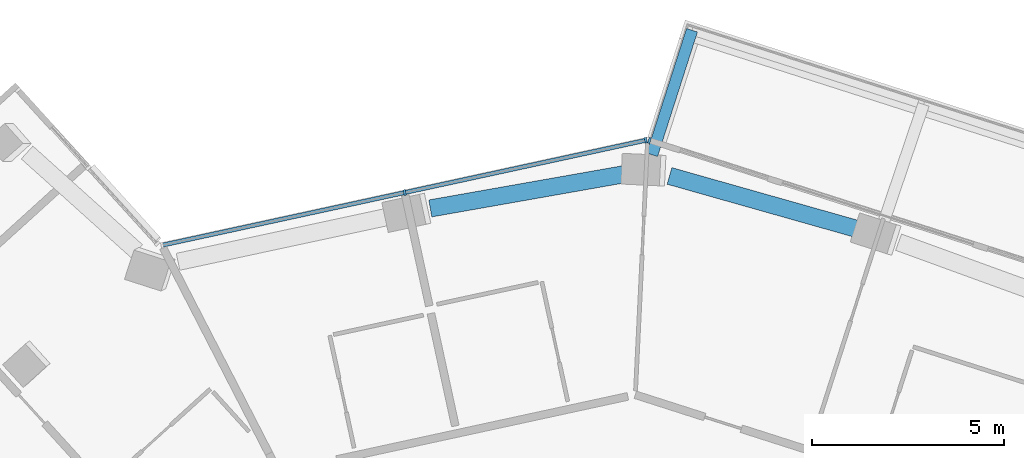
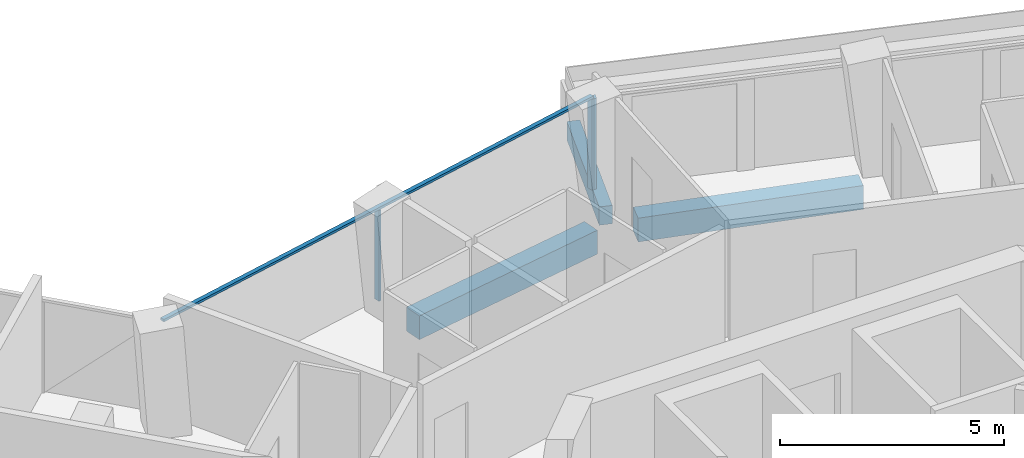
# One storey, part 7 of 23: 4 members, 3 beams, 2 elements without a shape of their own.
"""IFC4 building model written with IfcOpenShell, lengths in metres."""

from ifc_helpers import new_model, si_unit, direction, frame, origin, origin_2d, place, context, subcontext, project, spatial, rectangle, extrude, material, layer, layer_set, material_profile, profile_set, type_object, element, aggregate, save


model = new_model("IFC4")

# Units and contexts
model_context = context("Model", 3, precision=1e-05, world=origin(), true_north=direction((0.0, 1.0)))
body_context = subcontext(model_context, "Body", "Model", "MODEL_VIEW")
ifc_project = project(units=[si_unit("LENGTHUNIT", "METRE"), si_unit("AREAUNIT", "SQUARE_METRE"), si_unit("VOLUMEUNIT", "CUBIC_METRE"), si_unit("PLANEANGLEUNIT", "RADIAN"), si_unit("MASSUNIT", "GRAM", prefix="KILO")], contexts=[model_context])

# Site, building, storey
site_placement = place(None, origin())
site = spatial("IfcSite", under=ifc_project, at=site_placement, CompositionType="ELEMENT")
building_placement = place(site_placement, origin())
building = spatial("IfcBuilding", under=site, at=building_placement, Name="Verdalira Terraces Hotel", CompositionType="ELEMENT")
storey_placement = place(building_placement, frame((0.0, 0.0, 205.5)))
storey = spatial("IfcBuildingStorey", under=building, at=storey_placement, Name="L50", CompositionType="ELEMENT", Elevation=205.5)

# Beam
ifc_material_1 = material(Name="Concrete C40", Category="concrete")
ifc_material_profile_1 = material_profile(ifc_material_1, rectangle(XDim=0.300049, YDim=0.5, at=origin_2d()), Name="RC 300X500")
ifc_profile_set_1 = profile_set([ifc_material_profile_1], Name="Concrete C40")
beam_type_1 = type_object("IfcBeamType", Name="Balcony cantilever beam RC 300X500 C40", PredefinedType="BEAM", material=ifc_profile_set_1)
beam_1_placement = place(storey_placement, frame((1.321533, 24.617676, -0.560059), z_axis=(0.305061398, 0.952332685, 0.0), x_axis=(-0.952332685, 0.305061398, 0.0)))
element("IfcBeam", 1, at=beam_1_placement, inside=storey, type_object=beam_type_1, Name="Balcony cantilever beam R39-5", PredefinedType="BEAM", context=body_context, shape_type="SweptSolid", body=[
    extrude(rectangle(XDim=0.300049, YDim=0.5, at=origin_2d()), origin(), (0.0, 0.0, 1.0), 3.410889),
])

# Curtain wall, member
ifc_material_2 = material(Name="Clear glass", Category="glass")
ifc_layer = layer(ifc_material_2, 0.14990234375)
ifc_layer_set = layer_set([ifc_layer], Name="CW1 curtain wall")
curtain_wall_type = type_object("IfcCurtainWallType", Name="CW1 curtain wall", PredefinedType="NOTDEFINED", material=ifc_layer_set)
curtain_wall_1_placement = place(storey_placement, origin())
curtain_wall_1 = element("IfcCurtainWall", 2, at=curtain_wall_1_placement, inside=storey, type_object=curtain_wall_type, Name="CW1 curtain wall L50 edge 40", PredefinedType="NOTDEFINED")
ifc_material_3 = material(Name="Terracotta frame", Category="masonry")
ifc_material_profile_2 = material_profile(ifc_material_3, rectangle(XDim=0.060059, YDim=0.149902, at=origin_2d()), Name="MU 60x150")
ifc_profile_set_2 = profile_set([ifc_material_profile_2], Name="Terracotta frame")
member_type_1 = type_object("IfcMemberType", Name="CW1 mullion 60x150", PredefinedType="MULLION", material=ifc_profile_set_2)
member_1_placement = place(storey_placement, frame((1.253174, 24.992188, 0.0), z_axis=(0.0, 0.0, 1.0), x_axis=(-0.952342576, 0.305030519, 0.0)))
member_1 = element("IfcMember", 3, at=member_1_placement, type_object=member_type_1, Name="CW1 mullion", PredefinedType="MULLION", context=body_context, shape_type="SweptSolid", body=[
    extrude(rectangle(XDim=0.060059, YDim=0.149902, at=origin_2d()), origin(), (0.0, 0.0, 1.0), 2.475098),
])
aggregate(curtain_wall_1, [member_1])

# Curtain wall, members
curtain_wall_2_placement = place(storey_placement, origin())
curtain_wall_2 = element("IfcCurtainWall", 4, at=curtain_wall_2_placement, inside=storey, type_object=curtain_wall_type, Name="CW1 curtain wall L50 edge 41", PredefinedType="NOTDEFINED")
member_2_placement = place(storey_placement, frame((1.156494, 24.996826, 0.0), z_axis=(0.0, 0.0, 1.0), x_axis=(-0.977268124, -0.21200711, 0.0)))
member_2 = element("IfcMember", 5, at=member_2_placement, type_object=member_type_1, Name="CW1 mullion", PredefinedType="MULLION", context=body_context, shape_type="SweptSolid", body=[
    extrude(rectangle(XDim=0.060059, YDim=0.149902, at=origin_2d()), origin(), (0.0, 0.0, 1.0), 2.475098),
])
member_3_placement = place(storey_placement, frame((-5.126953, 23.633545, 0.0), z_axis=(0.0, 0.0, 1.0), x_axis=(-0.977268124, -0.21200711, 0.0)))
member_3 = element("IfcMember", 6, at=member_3_placement, type_object=member_type_1, Name="CW1 mullion", PredefinedType="MULLION", context=body_context, shape_type="SweptSolid", body=[
    extrude(rectangle(XDim=0.060059, YDim=0.149902, at=origin_2d()), origin(), (0.0, 0.0, 1.0), 2.475098),
])
ifc_material_4 = material(Name="Terracotta frame", Category="masonry")
ifc_material_profile_3 = material_profile(ifc_material_4, rectangle(XDim=0.110107, YDim=0.064941, at=origin_2d()), Name="TR 65x110")
ifc_profile_set_3 = profile_set([ifc_material_profile_3], Name="Terracotta frame")
member_type_2 = type_object("IfcMemberType", Name="CW1 transom 65x110", PredefinedType="USERDEFINED", material=ifc_profile_set_3)
member_4_placement = place(storey_placement, frame((1.186035, 25.003174, 2.507568), z_axis=(-0.977268592, -0.212004949, 0.0), x_axis=(0.212004949, -0.977268592, 0.0)))
member_4 = element("IfcMember", 7, at=member_4_placement, type_object=member_type_2, Name="CW1 transom", ObjectType="TRANSOM", PredefinedType="USERDEFINED", context=body_context, shape_type="SweptSolid", body=[
    extrude(rectangle(XDim=0.110107, YDim=0.064941, at=origin_2d()), origin(), (0.0, 0.0, 1.0), 12.959961),
])
aggregate(curtain_wall_2, [member_2, member_3, member_4])

# Beams
ifc_material_5 = material(Name="Concrete C50", Category="concrete")
ifc_material_profile_4 = material_profile(ifc_material_5, rectangle(XDim=0.449951, YDim=0.649902, at=origin_2d()), Name="RC 450X650")
ifc_profile_set_4 = profile_set([ifc_material_profile_4], Name="Concrete C50")
beam_type_2 = type_object("IfcBeamType", Name="Spandrel beam RC 450X650 C50", PredefinedType="SPANDREL", material=ifc_profile_set_4)
beam_2_placement = place(storey_placement, frame((6.769531, 22.654785, -0.63501), z_axis=(-0.962237905, 0.272209872, 0.0), x_axis=(-0.272209872, -0.962237905, 0.0)))
element("IfcBeam", 8, at=beam_2_placement, inside=storey, type_object=beam_type_2, Name="Spandrel beam B21", PredefinedType="SPANDREL", context=body_context, shape_type="SweptSolid", body=[
    extrude(rectangle(XDim=0.449951, YDim=0.649902, at=origin_2d()), origin(), (0.0, 0.0, 1.0), 5.189453),
])
beam_3_placement = place(storey_placement, frame((0.65332, 24.122559, -0.63501), z_axis=(-0.984783559, -0.173785334, 0.0), x_axis=(0.173785334, -0.984783559, 0.0)))
element("IfcBeam", 9, at=beam_3_placement, inside=storey, type_object=beam_type_2, Name="Spandrel beam B22", PredefinedType="SPANDREL", context=body_context, shape_type="SweptSolid", body=[
    extrude(rectangle(XDim=0.449951, YDim=0.649902, at=origin_2d()), origin(), (0.0, 0.0, 1.0), 5.192383),
])

save(model, "model.ifc")
